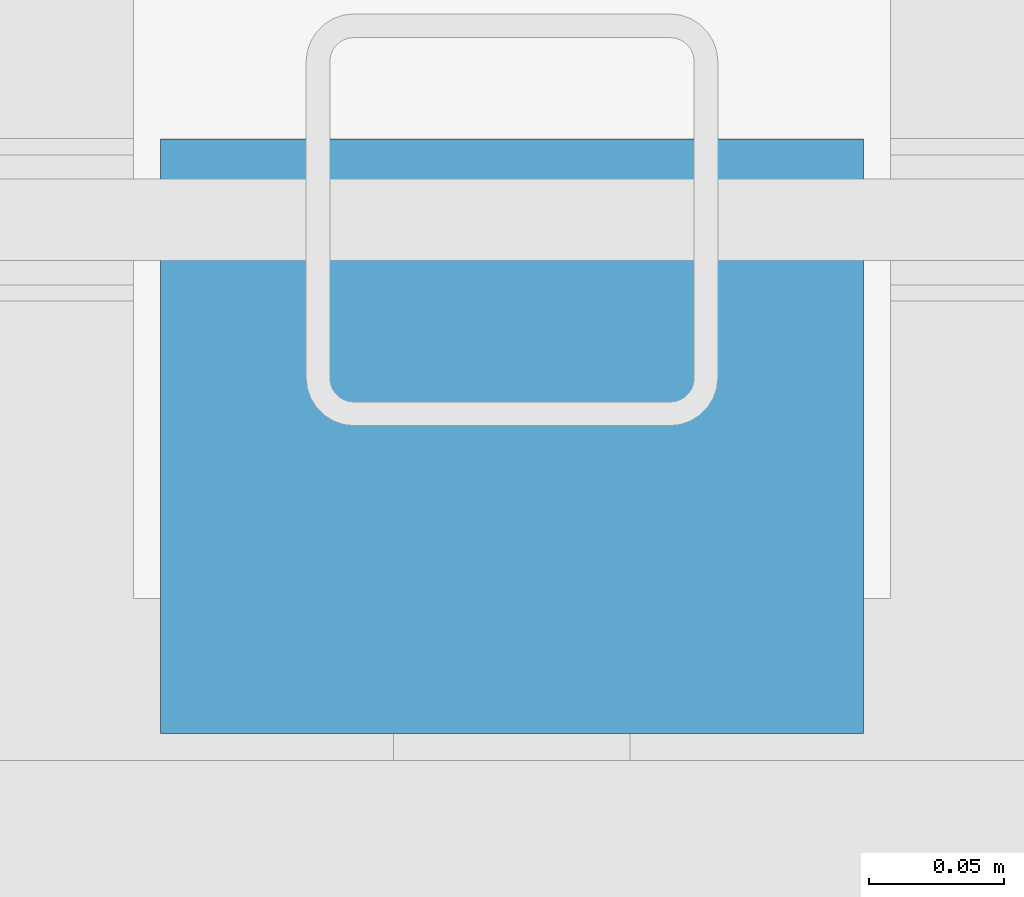
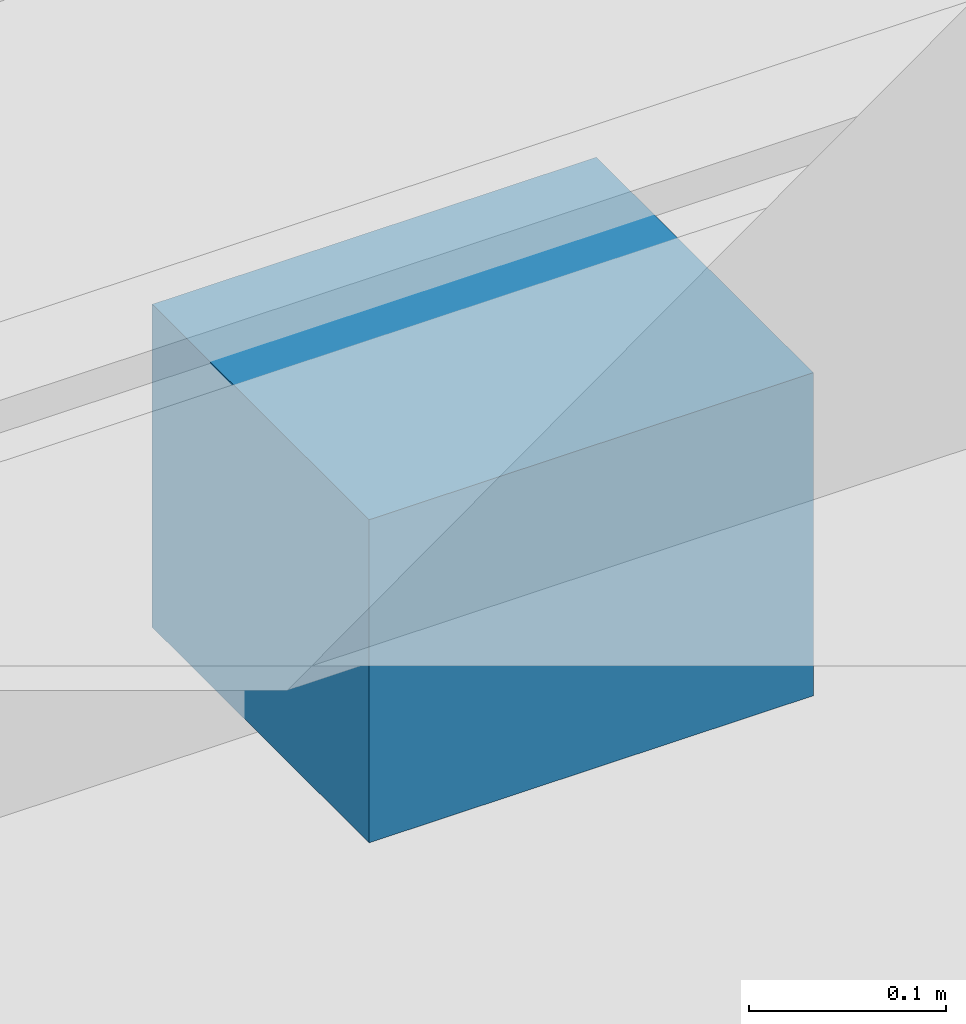
# One storey, part 68 of 77: 1 discrete accessory.
"""IFC4 building model written with IfcOpenShell, lengths in metres."""

from ifc_helpers import new_model, si_unit, direction, frame, origin, origin_2d, place, context, subcontext, project, spatial, rectangle, extrude, material, type_object, element, save


model = new_model("IFC4")

# Units and contexts
model_context = context("Model", 3, precision=1e-05, world=origin(), true_north=direction((0.0, 1.0)))
body_context = subcontext(model_context, "Body", "Model", "MODEL_VIEW")
ifc_project = project(units=[si_unit("LENGTHUNIT", "METRE"), si_unit("AREAUNIT", "SQUARE_METRE"), si_unit("VOLUMEUNIT", "CUBIC_METRE"), si_unit("PLANEANGLEUNIT", "RADIAN"), si_unit("MASSUNIT", "GRAM", prefix="KILO")], contexts=[model_context])

# Site, building, storey
site_placement = place(None, origin())
site = spatial("IfcSite", under=ifc_project, at=site_placement, CompositionType="ELEMENT")
building_placement = place(site_placement, origin())
building = spatial("IfcBuilding", under=site, at=building_placement, Name="Trellovar Central Fire Station", CompositionType="ELEMENT")
storey_placement = place(building_placement, frame((0.0, 0.0, 5.85009765625)))
storey = spatial("IfcBuildingStorey", under=building, at=storey_placement, Name="L02", CompositionType="ELEMENT", Elevation=5.85009765625)

# Discrete accessory
ifc_material = material(Name="Patina bronze wrought metalwork", Category="metal")
discrete_accessory_type = type_object("IfcDiscreteAccessoryType", Name="ACC-BRK1", PredefinedType="BRACKET", material=ifc_material)
discrete_accessory_placement = place(storey_placement, frame((63.574951171875, 13.919921875, 1.7998046875), z_axis=(0.0, 0.0, 1.0), x_axis=(1.0, 0.0, 0.0)))
element("IfcDiscreteAccessory", 1, at=discrete_accessory_placement, inside=storey, type_object=discrete_accessory_type, Name="L02 bronze shade mounting bracket 5", PredefinedType="BRACKET", context=body_context, shape_type="SweptSolid", body=[
    extrude(rectangle(XDim=0.260009765625, YDim=0.219970703125, at=origin_2d()), origin(), (0.0, 0.0, 1.0), 0.199951171875),
])

save(model, "model.ifc")
